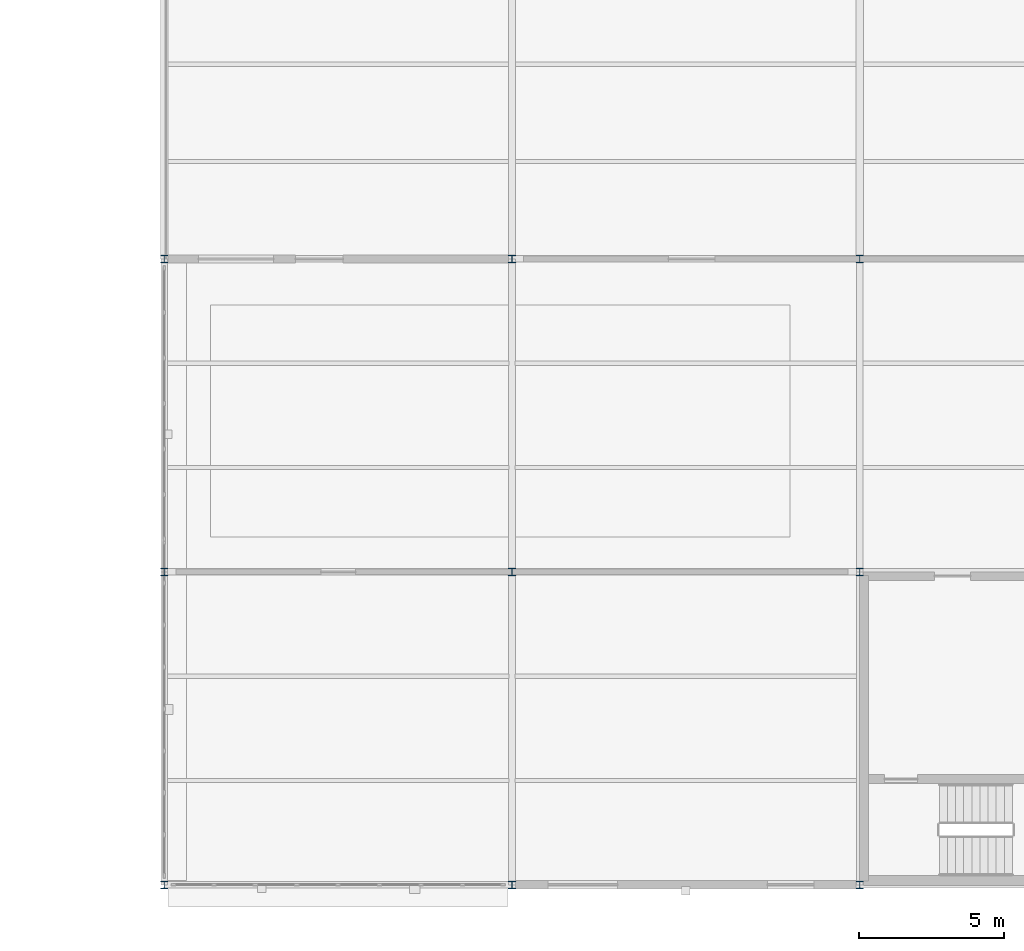
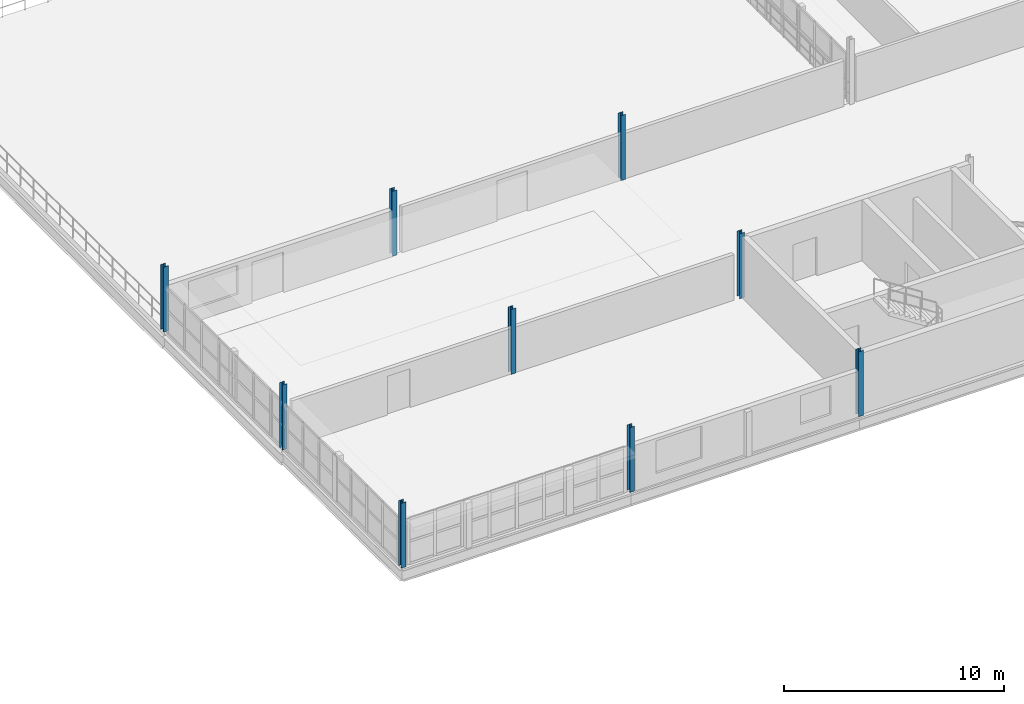
# One storey, part 13 of 74: 9 columns.
"""IFC4 building model written with IfcOpenShell, lengths in metres."""

from ifc_helpers import new_model, si_unit, direction, frame, origin, origin_2d, place, context, subcontext, project, spatial, i_section, extrude, material, material_profile, profile_set, type_object, element, save


model = new_model("IFC4")

# Units and contexts
model_context = context("Model", 3, precision=1e-05, world=origin(), true_north=direction((0.0, 1.0)))
body_context = subcontext(model_context, "Body", "Model", "MODEL_VIEW")
ifc_project = project(units=[si_unit("LENGTHUNIT", "METRE"), si_unit("AREAUNIT", "SQUARE_METRE"), si_unit("VOLUMEUNIT", "CUBIC_METRE"), si_unit("PLANEANGLEUNIT", "RADIAN"), si_unit("MASSUNIT", "GRAM", prefix="KILO"), si_unit("THERMODYNAMICTEMPERATUREUNIT", "KELVIN"), si_unit("POWERUNIT", "WATT")], contexts=[model_context])

# Site, building, storey
site_placement = place(None, origin())
site = spatial("IfcSite", under=ifc_project, at=site_placement, CompositionType="ELEMENT")
building_placement = place(site_placement, origin())
building = spatial("IfcBuilding", under=site, at=building_placement, Name="Tembeka Court Mobility Hub", CompositionType="ELEMENT")
storey_placement = place(building_placement, frame((0.0, 0.0, 12.60009765625)))
storey = spatial("IfcBuildingStorey", under=building, at=storey_placement, Name="L03", CompositionType="ELEMENT", Elevation=12.60009765625)

# Columns
ifc_material = material(Name="Steel S355", Category="steel")
ifc_material_profile = material_profile(ifc_material, i_section(OverallWidth=0.256103515625, OverallDepth=0.260009765625, WebThickness=0.01025390625, FlangeThickness=0.017333984375, FilletRadius=0.0126953125, at=origin_2d()), Name="UKC 254x254x89")
ifc_profile_set = profile_set([ifc_material_profile], Name="Steel S355")
column_type = type_object("IfcColumnType", Name="COL-C05", PredefinedType="COLUMN", material=ifc_profile_set)
for number, where, z_axis, x_axis, name in (
    (1, (128.39990234375, 0.0, 0.0), (0.0, 0.0, 1.0), (1.0, 0.0, 0.0), "Column C05 (L03-173)"),
    (2, (128.39990234375, 10.800048828125, 0.0), (0.0, 0.0, 1.0), (1.0, 0.0, 0.0), "Column C05 (L03-174)"),
    (3, (128.39990234375, 21.60009765625, 0.0), (0.0, 0.0, 1.0), (1.0, 0.0, 0.0), "Column C05 (L03-175)"),
    (4, (140.39990234375, 0.0, 0.0), (0.0, 0.0, 1.0), (1.0, 0.0, 0.0), "Column C05 (L03-193)"),
    (5, (140.39990234375, 10.800048828125, 0.0), (0.0, 0.0, 1.0), (1.0, 0.0, 0.0), "Column C05 (L03-194)"),
    (6, (140.39990234375, 21.60009765625, 0.0), (0.0, 0.0, 1.0), (1.0, 0.0, 0.0), "Column C05 (L03-195)"),
    (7, (152.39990234375, 0.0, 0.0), (0.0, 0.0, 1.0), (1.0, 0.0, 0.0), "Column C05 (L03-206)"),
    (8, (152.39990234375, 10.800048828125, 0.0), (0.0, 0.0, 1.0), (1.0, 0.0, 0.0), "Column C05 (L03-207)"),
    (9, (152.39990234375, 21.60009765625, 0.0), (0.0, 0.0, 1.0), (1.0, 0.0, 0.0), "Column C05 (L03-208)"),
):
    element("IfcColumn", number, at=place(storey_placement, frame(where, z_axis=z_axis, x_axis=x_axis)), inside=storey, type_object=column_type, Name=name, PredefinedType="COLUMN", context=body_context, shape_type="SweptSolid", body=[
        extrude(i_section(OverallWidth=0.256103515625, OverallDepth=0.260009765625, WebThickness=0.01025390625, FlangeThickness=0.017333984375, FilletRadius=0.0126953125, at=origin_2d()), origin(), (0.0, 0.0, 1.0), 3.599853515625),
    ])

save(model, "model.ifc")
